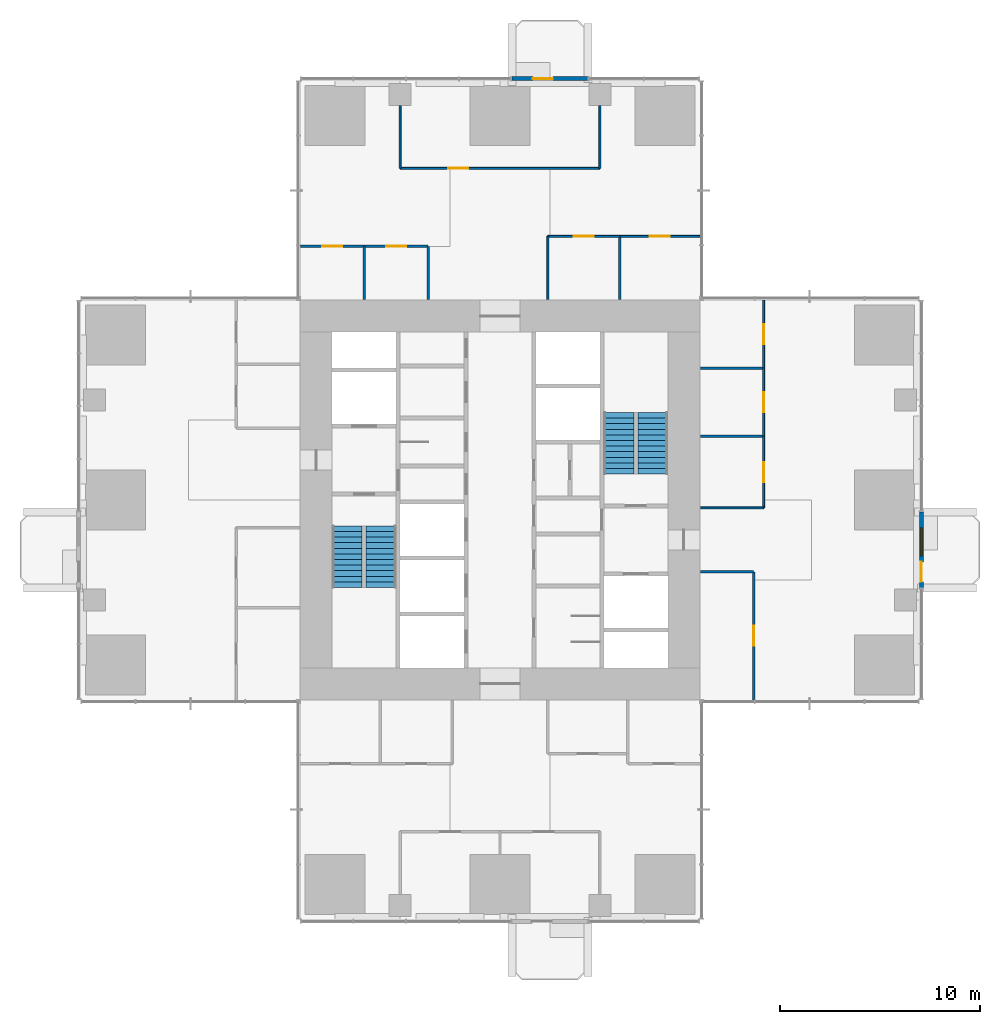
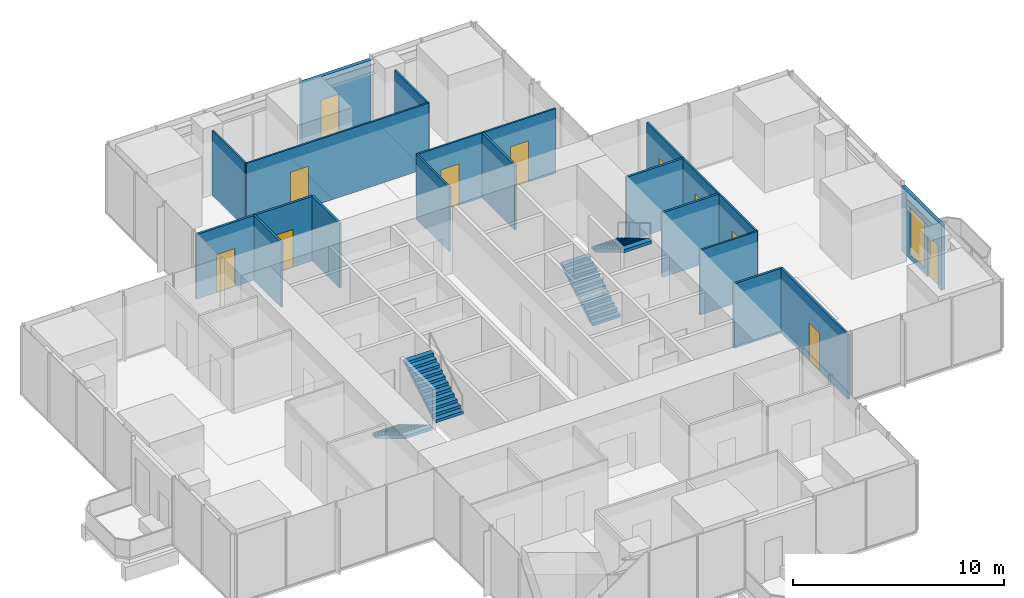
# One storey, part 10 of 13: 21 walls, 11 doors, 4 stair flights, 1 window, 12 openings, 2 elements without a shape of their own.
"""IFC4 building model written with IfcOpenShell, lengths in metres."""

from ifc_helpers import new_model, si_unit, direction, frame, frame_2d, origin, place, context, subcontext, project, spatial, polyline, rectangle, outline, extrude, material, layer, layer_set, type_object, element, fill, aggregate, save


model = new_model("IFC4")

# Units and contexts
model_context = context("Model", 3, precision=1e-05, world=origin(), true_north=direction((0.0, 1.0)))
body_context = subcontext(model_context, "Body", "Model", "MODEL_VIEW")
ifc_project = project(units=[si_unit("LENGTHUNIT", "METRE"), si_unit("AREAUNIT", "SQUARE_METRE"), si_unit("VOLUMEUNIT", "CUBIC_METRE"), si_unit("PLANEANGLEUNIT", "RADIAN"), si_unit("MASSUNIT", "GRAM", prefix="KILO")], contexts=[model_context])

# Site, building, storey
site_placement = place(None, origin())
site = spatial("IfcSite", under=ifc_project, at=site_placement, CompositionType="ELEMENT")
building_placement = place(site_placement, origin())
building = spatial("IfcBuilding", under=site, at=building_placement, Name="Svetlomir Tower", CompositionType="ELEMENT")
storey_placement = place(building_placement, frame((0.0, 0.0, 128.5)))
storey = spatial("IfcBuildingStorey", under=building, at=storey_placement, Name="L30", CompositionType="ELEMENT", Elevation=128.5)

# Wall, openings, door, window
ifc_material_1 = material(Name="Bronze anodised aluminium glazed screen", Category="aluminium")
ifc_layer_1 = layer(ifc_material_1, 0.199951171875)
ifc_layer_set_1 = layer_set([ifc_layer_1], Name="Bronze anodised aluminium glazed screen")
wall_type_1 = type_object("IfcWallType", Name="BALCONY SCREEN WALL 200", PredefinedType="USERDEFINED", material=ifc_layer_set_1)
wall_1_placement = place(storey_placement, frame((42.10009765625, 16.60009765625, 0.0), z_axis=(0.0, 0.0, 1.0), x_axis=(0.0, 1.0, 0.0)))
wall_1 = element("IfcWall", 1, at=wall_1_placement, inside=storey, type_object=wall_type_1, Name="Balcony screen E", ObjectType="GLAZED SCREEN", PredefinedType="USERDEFINED", context=body_context, shape_type="SweptSolid", body=[
    extrude(rectangle(XDim=3.7998046875, YDim=0.199951171875, at=frame_2d((1.89990234375, 0.0))), origin(), (0.0, 0.0, 1.0), 3.75),
])
opening_1_placement = place(wall_1_placement, frame((0.300048828125, 0.0, 0.0)))
opening_1 = element("IfcOpeningElement", 2, at=opening_1_placement, cuts=wall_1, Name="Opening BD", PredefinedType="OPENING", context=body_context, shape_type="SweptSolid", body=[
    extrude(rectangle(XDim=1.0, YDim=2.39990234375, at=frame_2d((0.5, 1.199951171875))), frame((0.0, 0.10986328125, 0.0), z_axis=(0.0, -1.0, 0.0), x_axis=(1.0, 0.0, 0.0)), (0.0, 0.0, 1.0), 0.219970703125),
])
opening_2_placement = place(wall_1_placement, frame((1.60009765625, 0.0, 0.300048828125)))
opening_2 = element("IfcOpeningElement", 3, at=opening_2_placement, cuts=wall_1, Name="Opening WS2", PredefinedType="OPENING", context=body_context, shape_type="SweptSolid", body=[
    extrude(rectangle(XDim=1.39990234375, YDim=2.699951171875, at=frame_2d((0.699951171875, 1.35009765625))), frame((0.0, 0.10986328125, 0.0), z_axis=(0.0, -1.0, 0.0), x_axis=(1.0, 0.0, 0.0)), (0.0, 0.0, 1.0), 0.219970703125),
])
ifc_material_2 = material(Name="Bronze anodised aluminium glazed door", Category="aluminium")
door_type_1 = type_object("IfcDoorType", Name="BALCONY DOOR BD 1000x2400", OperationType="SINGLE_SWING_LEFT", PredefinedType="DOOR", material=ifc_material_2)
door_1_placement = place(opening_1_placement, origin())
door_1 = element("IfcDoor", 4, at=door_1_placement, inside=storey, type_object=door_type_1, Name="Balcony screen E door", OperationType="SINGLE_SWING_LEFT", OverallHeight=2.39990234375, OverallWidth=1.0, PredefinedType="DOOR", context=body_context, shape_type="SweptSolid", body=[
    extrude(rectangle(XDim=1.0, YDim=2.39990234375, at=frame_2d((0.5, 1.199951171875))), frame((0.0, 0.02490234375, 0.0), z_axis=(0.0, -1.0, 0.0), x_axis=(1.0, 0.0, 0.0)), (0.0, 0.0, 1.0), 0.050048828125),
])
fill(opening_1, door_1)
ifc_material_3 = material(Name="Bronze anodised aluminium window", Category="aluminium")
window_type = type_object("IfcWindowType", Name="SCREEN WINDOW WS2 1400x2700", PartitioningType="SINGLE_PANEL", PredefinedType="WINDOW", material=ifc_material_3)
window_placement = place(opening_2_placement, origin())
window = element("IfcWindow", 5, at=window_placement, inside=storey, type_object=window_type, Name="Balcony screen E window 1", OverallHeight=2.699951171875, OverallWidth=1.39990234375, PartitioningType="SINGLE_PANEL", PredefinedType="WINDOW", context=body_context, shape_type="SweptSolid", body=[
    extrude(rectangle(XDim=1.39990234375, YDim=2.699951171875, at=frame_2d((0.699951171875, 1.35009765625))), frame((0.0, 0.030029296875, 0.0), z_axis=(0.0, -1.0, 0.0), x_axis=(1.0, 0.0, 0.0)), (0.0, 0.0, 1.0), 0.06005859375),
])
fill(opening_2, window)

# Wall, opening, door
wall_2_placement = place(storey_placement, frame((25.39990234375, 42.10009765625, 0.0), z_axis=(0.0, 0.0, 1.0), x_axis=(-1.0, 0.0, 0.0)))
wall_2 = element("IfcWall", 6, at=wall_2_placement, inside=storey, type_object=wall_type_1, Name="Balcony screen N", ObjectType="GLAZED SCREEN", PredefinedType="USERDEFINED", context=body_context, shape_type="SweptSolid", body=[
    extrude(rectangle(XDim=3.7998046875, YDim=0.199951171875, at=frame_2d((1.89990234375, 0.0))), origin(), (0.0, 0.0, 1.0), 3.75),
])
opening_3_placement = place(wall_2_placement, frame((1.75, 0.0, 0.0)))
opening_3 = element("IfcOpeningElement", 7, at=opening_3_placement, cuts=wall_2, Name="Opening BD", PredefinedType="OPENING", context=body_context, shape_type="SweptSolid", body=[
    extrude(rectangle(XDim=1.0, YDim=2.39990234375, at=frame_2d((0.5, 1.199951171875))), frame((0.0, 0.10986328125, 0.0), z_axis=(0.0, -1.0, 0.0), x_axis=(1.0, 0.0, 0.0)), (0.0, 0.0, 1.0), 0.219970703125),
])
door_2_placement = place(opening_3_placement, origin())
door_2 = element("IfcDoor", 8, at=door_2_placement, inside=storey, type_object=door_type_1, Name="Balcony screen N door", OperationType="SINGLE_SWING_LEFT", OverallHeight=2.39990234375, OverallWidth=1.0, PredefinedType="DOOR", context=body_context, shape_type="SweptSolid", body=[
    extrude(rectangle(XDim=1.0, YDim=2.39990234375, at=frame_2d((0.5, 1.199951171875))), frame((0.0, 0.02490234375, 0.0), z_axis=(0.0, -1.0, 0.0), x_axis=(1.0, 0.0, 0.0)), (0.0, 0.0, 1.0), 0.050048828125),
])
fill(opening_3, door_2)

# Wall
ifc_material_4 = material(Name="Framed laminated glass partition", Category="glass")
ifc_layer_2 = layer(ifc_material_4, 0.10009765625)
ifc_layer_set_2 = layer_set([ifc_layer_2], Name="Framed laminated glass partition")
wall_type_2 = type_object("IfcWallType", Name="GLAZED PARTITION 100", PredefinedType="PARTITIONING", material=ifc_layer_set_2)
wall_3_placement = place(storey_placement, frame((16.0, 37.60009765625, 0.0), z_axis=(0.0, 0.0, 1.0), x_axis=(0.0, 1.0, 0.0)))
element("IfcWall", 9, at=wall_3_placement, inside=storey, type_object=wall_type_2, Name="Glazed partition L30", PredefinedType="PARTITIONING", context=body_context, shape_type="SweptSolid", body=[
    extrude(rectangle(XDim=3.139892578125, YDim=0.10009765625, at=frame_2d((1.56982421875, 0.0))), origin(), (0.0, 0.0, 1.0), 3.75),
])

# Wall, opening, door
wall_4_placement = place(storey_placement, frame((16.0, 37.60009765625, 0.0), z_axis=(0.0, 0.0, 1.0), x_axis=(1.0, 0.0, 0.0)))
wall_4 = element("IfcWall", 10, at=wall_4_placement, inside=storey, type_object=wall_type_2, Name="Glazed partition L30", PredefinedType="PARTITIONING", context=body_context, shape_type="SweptSolid", body=[
    extrude(rectangle(XDim=10.0, YDim=0.10009765625, at=frame_2d((5.0, 0.0))), origin(), (0.0, 0.0, 1.0), 3.75),
])
opening_4_placement = place(wall_4_placement, frame((2.39990234375, 0.0, 0.0)))
opening_4 = element("IfcOpeningElement", 11, at=opening_4_placement, cuts=wall_4, Name="Opening DG", PredefinedType="OPENING", context=body_context, shape_type="SweptSolid", body=[
    extrude(rectangle(XDim=1.0, YDim=2.39990234375, at=frame_2d((0.5, 1.199951171875))), frame((0.0, 0.06005859375, 0.0), z_axis=(0.0, -1.0, 0.0), x_axis=(1.0, 0.0, 0.0)), (0.0, 0.0, 1.0), 0.1201171875),
])
ifc_material_5 = material(Name="Framed laminated glass door", Category="glass")
door_type_2 = type_object("IfcDoorType", Name="GLAZED DOOR DG 1000x2400", OperationType="SINGLE_SWING_LEFT", PredefinedType="DOOR", material=ifc_material_5)
door_3_placement = place(opening_4_placement, origin())
door_3 = element("IfcDoor", 12, at=door_3_placement, inside=storey, type_object=door_type_2, Name="Engineering review room, 12 seats door L30", OperationType="SINGLE_SWING_RIGHT", OverallHeight=2.39990234375, OverallWidth=1.0, PredefinedType="DOOR", context=body_context, shape_type="SweptSolid", body=[
    extrude(rectangle(XDim=1.0, YDim=2.39990234375, at=frame_2d((0.5, 1.199951171875))), frame((0.0, 0.02490234375, 0.0), z_axis=(0.0, -1.0, 0.0), x_axis=(1.0, 0.0, 0.0)), (0.0, 0.0, 1.0), 0.050048828125),
])
fill(opening_4, door_3)

# Wall
wall_5_placement = place(storey_placement, frame((23.39990234375, 31.050048828125, 0.0), z_axis=(0.0, 0.0, 1.0), x_axis=(0.0, 1.0, 0.0)))
element("IfcWall", 13, at=wall_5_placement, inside=storey, type_object=wall_type_2, Name="Glazed partition L30", PredefinedType="PARTITIONING", context=body_context, shape_type="SweptSolid", body=[
    extrude(rectangle(XDim=3.14990234375, YDim=0.10009765625, at=frame_2d((1.574951171875, 0.0))), origin(), (0.0, 0.0, 1.0), 3.75),
])

# Wall, opening, door
wall_6_placement = place(storey_placement, frame((23.39990234375, 34.199951171875, 0.0), z_axis=(0.0, 0.0, 1.0), x_axis=(1.0, 0.0, 0.0)))
wall_6 = element("IfcWall", 14, at=wall_6_placement, inside=storey, type_object=wall_type_2, Name="Glazed partition L30", PredefinedType="PARTITIONING", context=body_context, shape_type="SweptSolid", body=[
    extrude(rectangle(XDim=3.60009765625, YDim=0.10009765625, at=frame_2d((1.800048828125, 0.0))), origin(), (0.0, 0.0, 1.0), 3.75),
])
opening_5_placement = place(wall_6_placement, frame((1.300048828125, 0.0, 0.0)))
opening_5 = element("IfcOpeningElement", 15, at=opening_5_placement, cuts=wall_6, Name="Opening DG", PredefinedType="OPENING", context=body_context, shape_type="SweptSolid", body=[
    extrude(rectangle(XDim=1.0, YDim=2.39990234375, at=frame_2d((0.5, 1.199951171875))), frame((0.0, 0.06005859375, 0.0), z_axis=(0.0, -1.0, 0.0), x_axis=(1.0, 0.0, 0.0)), (0.0, 0.0, 1.0), 0.1201171875),
])
door_4_placement = place(opening_5_placement, origin())
door_4 = element("IfcDoor", 16, at=door_4_placement, inside=storey, type_object=door_type_2, Name="Focus room 3 door L30", OperationType="SINGLE_SWING_RIGHT", OverallHeight=2.39990234375, OverallWidth=1.0, PredefinedType="DOOR", context=body_context, shape_type="SweptSolid", body=[
    extrude(rectangle(XDim=1.0, YDim=2.39990234375, at=frame_2d((0.5, 1.199951171875))), frame((0.0, 0.02490234375, 0.0), z_axis=(0.0, -1.0, 0.0), x_axis=(1.0, 0.0, 0.0)), (0.0, 0.0, 1.0), 0.050048828125),
])
fill(opening_5, door_4)

# Wall
wall_7_placement = place(storey_placement, frame((26.0, 37.60009765625, 0.0), z_axis=(0.0, 0.0, 1.0), x_axis=(0.0, 1.0, 0.0)))
element("IfcWall", 17, at=wall_7_placement, inside=storey, type_object=wall_type_2, Name="Glazed partition L30", PredefinedType="PARTITIONING", context=body_context, shape_type="SweptSolid", body=[
    extrude(rectangle(XDim=3.139892578125, YDim=0.10009765625, at=frame_2d((1.56982421875, 0.0))), origin(), (0.0, 0.0, 1.0), 3.75),
])

# Wall, opening, door
wall_8_placement = place(storey_placement, frame((27.0, 34.199951171875, 0.0), z_axis=(0.0, 0.0, 1.0), x_axis=(1.0, 0.0, 0.0)))
wall_8 = element("IfcWall", 18, at=wall_8_placement, inside=storey, type_object=wall_type_2, Name="Glazed partition L30", PredefinedType="PARTITIONING", context=body_context, shape_type="SweptSolid", body=[
    extrude(rectangle(XDim=4.0, YDim=0.10009765625, at=frame_2d((2.0, 0.0))), origin(), (0.0, 0.0, 1.0), 3.75),
])
opening_6_placement = place(wall_8_placement, frame((1.5, 0.0, 0.0)))
opening_6 = element("IfcOpeningElement", 19, at=opening_6_placement, cuts=wall_8, Name="Opening DG", PredefinedType="OPENING", context=body_context, shape_type="SweptSolid", body=[
    extrude(rectangle(XDim=1.0, YDim=2.39990234375, at=frame_2d((0.5, 1.199951171875))), frame((0.0, 0.06005859375, 0.0), z_axis=(0.0, -1.0, 0.0), x_axis=(1.0, 0.0, 0.0)), (0.0, 0.0, 1.0), 0.1201171875),
])
door_5_placement = place(opening_6_placement, origin())
door_5 = element("IfcDoor", 20, at=door_5_placement, inside=storey, type_object=door_type_2, Name="Meeting room, 10 seats door L30", OperationType="SINGLE_SWING_LEFT", OverallHeight=2.39990234375, OverallWidth=1.0, PredefinedType="DOOR", context=body_context, shape_type="SweptSolid", body=[
    extrude(rectangle(XDim=1.0, YDim=2.39990234375, at=frame_2d((0.5, 1.199951171875))), frame((0.0, 0.02490234375, 0.0), z_axis=(0.0, -1.0, 0.0), x_axis=(1.0, 0.0, 0.0)), (0.0, 0.0, 1.0), 0.050048828125),
])
fill(opening_6, door_5)

# Wall
wall_9_placement = place(storey_placement, frame((31.050048828125, 20.60009765625, 0.0), z_axis=(0.0, 0.0, 1.0), x_axis=(1.0, 0.0, 0.0)))
element("IfcWall", 21, at=wall_9_placement, inside=storey, type_object=wall_type_2, Name="Glazed partition L30", PredefinedType="PARTITIONING", context=body_context, shape_type="SweptSolid", body=[
    extrude(rectangle(XDim=3.14990234375, YDim=0.10009765625, at=frame_2d((1.574951171875, 0.0))), origin(), (0.0, 0.0, 1.0), 3.75),
])

# Wall, opening, door
wall_10_placement = place(storey_placement, frame((34.199951171875, 20.60009765625, 0.0), z_axis=(0.0, 0.0, 1.0), x_axis=(0.0, 1.0, 0.0)))
wall_10 = element("IfcWall", 22, at=wall_10_placement, inside=storey, type_object=wall_type_2, Name="Glazed partition L30", PredefinedType="PARTITIONING", context=body_context, shape_type="SweptSolid", body=[
    extrude(rectangle(XDim=3.599853515625, YDim=0.10009765625, at=frame_2d((1.7998046875, 0.0))), origin(), (0.0, 0.0, 1.0), 3.75),
])
opening_7_placement = place(wall_10_placement, frame((1.300048828125, 0.0, 0.0)))
opening_7 = element("IfcOpeningElement", 23, at=opening_7_placement, cuts=wall_10, Name="Opening DG", PredefinedType="OPENING", context=body_context, shape_type="SweptSolid", body=[
    extrude(rectangle(XDim=1.0, YDim=2.39990234375, at=frame_2d((0.5, 1.199951171875))), frame((0.0, 0.06005859375, 0.0), z_axis=(0.0, -1.0, 0.0), x_axis=(1.0, 0.0, 0.0)), (0.0, 0.0, 1.0), 0.1201171875),
])
door_6_placement = place(opening_7_placement, origin())
door_6 = element("IfcDoor", 24, at=door_6_placement, inside=storey, type_object=door_type_2, Name="Meeting room, 6 seats door L30", OperationType="SINGLE_SWING_LEFT", OverallHeight=2.39990234375, OverallWidth=1.0, PredefinedType="DOOR", context=body_context, shape_type="SweptSolid", body=[
    extrude(rectangle(XDim=1.0, YDim=2.39990234375, at=frame_2d((0.5, 1.199951171875))), frame((0.0, 0.02490234375, 0.0), z_axis=(0.0, -1.0, 0.0), x_axis=(1.0, 0.0, 0.0)), (0.0, 0.0, 1.0), 0.050048828125),
])
fill(opening_7, door_6)

wall_11_placement = place(storey_placement, frame((34.199951171875, 24.199951171875, 0.0), z_axis=(0.0, 0.0, 1.0), x_axis=(0.0, 1.0, 0.0)))
wall_11 = element("IfcWall", 25, at=wall_11_placement, inside=storey, type_object=wall_type_2, Name="Glazed partition L30", PredefinedType="PARTITIONING", context=body_context, shape_type="SweptSolid", body=[
    extrude(rectangle(XDim=3.400146484375, YDim=0.10009765625, at=frame_2d((1.7001953125, 0.0))), origin(), (0.0, 0.0, 1.0), 3.75),
])
opening_8_placement = place(wall_11_placement, frame((1.199951171875, 0.0, 0.0)))
opening_8 = element("IfcOpeningElement", 26, at=opening_8_placement, cuts=wall_11, Name="Opening DG", PredefinedType="OPENING", context=body_context, shape_type="SweptSolid", body=[
    extrude(rectangle(XDim=1.0, YDim=2.39990234375, at=frame_2d((0.5, 1.199951171875))), frame((0.0, 0.06005859375, 0.0), z_axis=(0.0, -1.0, 0.0), x_axis=(1.0, 0.0, 0.0)), (0.0, 0.0, 1.0), 0.1201171875),
])
door_7_placement = place(opening_8_placement, origin())
door_7 = element("IfcDoor", 27, at=door_7_placement, inside=storey, type_object=door_type_2, Name="Focus room 1 door L30", OperationType="SINGLE_SWING_RIGHT", OverallHeight=2.39990234375, OverallWidth=1.0, PredefinedType="DOOR", context=body_context, shape_type="SweptSolid", body=[
    extrude(rectangle(XDim=1.0, YDim=2.39990234375, at=frame_2d((0.5, 1.199951171875))), frame((0.0, 0.02490234375, 0.0), z_axis=(0.0, -1.0, 0.0), x_axis=(1.0, 0.0, 0.0)), (0.0, 0.0, 1.0), 0.050048828125),
])
fill(opening_8, door_7)

wall_12_placement = place(storey_placement, frame((34.199951171875, 27.60009765625, 0.0), z_axis=(0.0, 0.0, 1.0), x_axis=(0.0, 1.0, 0.0)))
wall_12 = element("IfcWall", 28, at=wall_12_placement, inside=storey, type_object=wall_type_2, Name="Glazed partition L30", PredefinedType="PARTITIONING", context=body_context, shape_type="SweptSolid", body=[
    extrude(rectangle(XDim=3.39990234375, YDim=0.10009765625, at=frame_2d((1.699951171875, 0.0))), origin(), (0.0, 0.0, 1.0), 3.75),
])
opening_9_placement = place(wall_12_placement, frame((1.199951171875, 0.0, 0.0)))
opening_9 = element("IfcOpeningElement", 29, at=opening_9_placement, cuts=wall_12, Name="Opening DG", PredefinedType="OPENING", context=body_context, shape_type="SweptSolid", body=[
    extrude(rectangle(XDim=1.0, YDim=2.39990234375, at=frame_2d((0.5, 1.199951171875))), frame((0.0, 0.06005859375, 0.0), z_axis=(0.0, -1.0, 0.0), x_axis=(1.0, 0.0, 0.0)), (0.0, 0.0, 1.0), 0.1201171875),
])
door_8_placement = place(opening_9_placement, origin())
door_8 = element("IfcDoor", 30, at=door_8_placement, inside=storey, type_object=door_type_2, Name="Focus room 2 door L30", OperationType="SINGLE_SWING_LEFT", OverallHeight=2.39990234375, OverallWidth=1.0, PredefinedType="DOOR", context=body_context, shape_type="SweptSolid", body=[
    extrude(rectangle(XDim=1.0, YDim=2.39990234375, at=frame_2d((0.5, 1.199951171875))), frame((0.0, 0.02490234375, 0.0), z_axis=(0.0, -1.0, 0.0), x_axis=(1.0, 0.0, 0.0)), (0.0, 0.0, 1.0), 0.050048828125),
])
fill(opening_9, door_8)

ifc_material_6 = material(Name="Gypsum board on steel studs", Category="steel")
ifc_layer_3 = layer(ifc_material_6, 0.1201171875)
ifc_layer_set_3 = layer_set([ifc_layer_3], Name="Gypsum board on steel studs")
wall_type_3 = type_object("IfcWallType", Name="PARTITION 120", PredefinedType="PARTITIONING", material=ifc_layer_set_3)
wall_13_placement = place(storey_placement, frame((11.0, 33.699951171875, 0.0), z_axis=(0.0, 0.0, 1.0), x_axis=(1.0, 0.0, 0.0)))
wall_13 = element("IfcWall", 31, at=wall_13_placement, inside=storey, type_object=wall_type_3, Name="Partition L30", PredefinedType="PARTITIONING", context=body_context, shape_type="SweptSolid", body=[
    extrude(rectangle(XDim=3.199951171875, YDim=0.1201171875, at=frame_2d((1.60009765625, 0.0))), origin(), (0.0, 0.0, 1.0), 3.75),
])
opening_10_placement = place(wall_13_placement, frame((1.10009765625, 0.0, 0.0)))
opening_10 = element("IfcOpeningElement", 32, at=opening_10_placement, cuts=wall_13, Name="Opening DR", PredefinedType="OPENING", context=body_context, shape_type="SweptSolid", body=[
    extrude(rectangle(XDim=1.0, YDim=2.199951171875, at=frame_2d((0.5, 1.10009765625))), frame((0.0, 0.070068359375, 0.0), z_axis=(0.0, -1.0, 0.0), x_axis=(1.0, 0.0, 0.0)), (0.0, 0.0, 1.0), 0.14013671875),
])
ifc_material_7 = material(Name="Timber door, glazed side light", Category="wood")
door_type_3 = type_object("IfcDoorType", Name="DOOR DR 1000x2200", OperationType="SINGLE_SWING_LEFT", PredefinedType="DOOR", material=ifc_material_7)
door_9_placement = place(opening_10_placement, origin())
door_9 = element("IfcDoor", 33, at=door_9_placement, inside=storey, type_object=door_type_3, Name="Print and copy room door L30", OperationType="SINGLE_SWING_RIGHT", OverallHeight=2.199951171875, OverallWidth=1.0, PredefinedType="DOOR", context=body_context, shape_type="SweptSolid", body=[
    extrude(rectangle(XDim=1.0, YDim=2.199951171875, at=frame_2d((0.5, 1.10009765625))), frame((0.0, 0.02490234375, 0.0), z_axis=(0.0, -1.0, 0.0), x_axis=(1.0, 0.0, 0.0)), (0.0, 0.0, 1.0), 0.050048828125),
])
fill(opening_10, door_9)

# Wall
wall_14_placement = place(storey_placement, frame((14.199951171875, 31.050048828125, 0.0), z_axis=(0.0, 0.0, 1.0), x_axis=(0.0, 1.0, 0.0)))
element("IfcWall", 34, at=wall_14_placement, inside=storey, type_object=wall_type_3, Name="Partition L30", PredefinedType="PARTITIONING", context=body_context, shape_type="SweptSolid", body=[
    extrude(rectangle(XDim=2.64990234375, YDim=0.1201171875, at=frame_2d((1.324951171875, 0.0))), origin(), (0.0, 0.0, 1.0), 3.75),
])

# Wall, opening, door
wall_15_placement = place(storey_placement, frame((14.199951171875, 33.699951171875, 0.0), z_axis=(0.0, 0.0, 1.0), x_axis=(1.0, 0.0, 0.0)))
wall_15 = element("IfcWall", 35, at=wall_15_placement, inside=storey, type_object=wall_type_3, Name="Partition L30", PredefinedType="PARTITIONING", context=body_context, shape_type="SweptSolid", body=[
    extrude(rectangle(XDim=3.199951171875, YDim=0.1201171875, at=frame_2d((1.60009765625, 0.0))), origin(), (0.0, 0.0, 1.0), 3.75),
])
opening_11_placement = place(wall_15_placement, frame((1.10009765625, 0.0, 0.0)))
opening_11 = element("IfcOpeningElement", 36, at=opening_11_placement, cuts=wall_15, Name="Opening DR", PredefinedType="OPENING", context=body_context, shape_type="SweptSolid", body=[
    extrude(rectangle(XDim=1.0, YDim=2.199951171875, at=frame_2d((0.5, 1.10009765625))), frame((0.0, 0.070068359375, 0.0), z_axis=(0.0, -1.0, 0.0), x_axis=(1.0, 0.0, 0.0)), (0.0, 0.0, 1.0), 0.14013671875),
])
door_10_placement = place(opening_11_placement, origin())
door_10 = element("IfcDoor", 37, at=door_10_placement, inside=storey, type_object=door_type_3, Name="Store 2 door L30", OperationType="SINGLE_SWING_LEFT", OverallHeight=2.199951171875, OverallWidth=1.0, PredefinedType="DOOR", context=body_context, shape_type="SweptSolid", body=[
    extrude(rectangle(XDim=1.0, YDim=2.199951171875, at=frame_2d((0.5, 1.10009765625))), frame((0.0, 0.02490234375, 0.0), z_axis=(0.0, -1.0, 0.0), x_axis=(1.0, 0.0, 0.0)), (0.0, 0.0, 1.0), 0.050048828125),
])
fill(opening_11, door_10)

# Walls
wall_16_placement = place(storey_placement, frame((17.39990234375, 31.050048828125, 0.0), z_axis=(0.0, 0.0, 1.0), x_axis=(0.0, 1.0, 0.0)))
element("IfcWall", 38, at=wall_16_placement, inside=storey, type_object=wall_type_3, Name="Partition L30", PredefinedType="PARTITIONING", context=body_context, shape_type="SweptSolid", body=[
    extrude(rectangle(XDim=2.64990234375, YDim=0.1201171875, at=frame_2d((1.324951171875, 0.0))), origin(), (0.0, 0.0, 1.0), 3.75),
])
wall_17_placement = place(storey_placement, frame((27.0, 31.050048828125, 0.0), z_axis=(0.0, 0.0, 1.0), x_axis=(0.0, 1.0, 0.0)))
element("IfcWall", 39, at=wall_17_placement, inside=storey, type_object=wall_type_3, Name="Partition L30", PredefinedType="PARTITIONING", context=body_context, shape_type="SweptSolid", body=[
    extrude(rectangle(XDim=3.14990234375, YDim=0.1201171875, at=frame_2d((1.574951171875, 0.0))), origin(), (0.0, 0.0, 1.0), 3.75),
])
wall_18_placement = place(storey_placement, frame((31.050048828125, 17.39990234375, 0.0), z_axis=(0.0, 0.0, 1.0), x_axis=(1.0, 0.0, 0.0)))
element("IfcWall", 40, at=wall_18_placement, inside=storey, type_object=wall_type_3, Name="Partition L30", PredefinedType="PARTITIONING", context=body_context, shape_type="SweptSolid", body=[
    extrude(rectangle(XDim=2.64990234375, YDim=0.1201171875, at=frame_2d((1.324951171875, 0.0))), origin(), (0.0, 0.0, 1.0), 3.75),
])
for number, where, z_axis, x_axis, name in (
    (41, (31.050048828125, 24.199951171875, 0.0), (0.0, 0.0, 1.0), (1.0, 0.0, 0.0), "Partition L30"),
    (42, (31.050048828125, 27.60009765625, 0.0), (0.0, 0.0, 1.0), (1.0, 0.0, 0.0), "Partition L30"),
):
    element("IfcWall", number, at=place(storey_placement, frame(where, z_axis=z_axis, x_axis=x_axis)), inside=storey, type_object=wall_type_3, Name=name, PredefinedType="PARTITIONING", context=body_context, shape_type="SweptSolid", body=[
        extrude(rectangle(XDim=3.14990234375, YDim=0.1201171875, at=frame_2d((1.574951171875, 0.0))), origin(), (0.0, 0.0, 1.0), 3.75),
    ])

# Wall, opening, door
wall_19_placement = place(storey_placement, frame((33.699951171875, 11.0, 0.0), z_axis=(0.0, 0.0, 1.0), x_axis=(0.0, 1.0, 0.0)))
wall_19 = element("IfcWall", 43, at=wall_19_placement, inside=storey, type_object=wall_type_3, Name="Partition L30", PredefinedType="PARTITIONING", context=body_context, shape_type="SweptSolid", body=[
    extrude(rectangle(XDim=6.39990234375, YDim=0.1201171875, at=frame_2d((3.199951171875, 0.0))), origin(), (0.0, 0.0, 1.0), 3.75),
])
opening_12_placement = place(wall_19_placement, frame((2.699951171875, 0.0, 0.0)))
opening_12 = element("IfcOpeningElement", 44, at=opening_12_placement, cuts=wall_19, Name="Opening DR", PredefinedType="OPENING", context=body_context, shape_type="SweptSolid", body=[
    extrude(rectangle(XDim=1.0, YDim=2.199951171875, at=frame_2d((0.5, 1.10009765625))), frame((0.0, 0.070068359375, 0.0), z_axis=(0.0, -1.0, 0.0), x_axis=(1.0, 0.0, 0.0)), (0.0, 0.0, 1.0), 0.14013671875),
])
door_11_placement = place(opening_12_placement, origin())
door_11 = element("IfcDoor", 45, at=door_11_placement, inside=storey, type_object=door_type_3, Name="Asset monitoring room door L30", OperationType="SINGLE_SWING_RIGHT", OverallHeight=2.199951171875, OverallWidth=1.0, PredefinedType="DOOR", context=body_context, shape_type="SweptSolid", body=[
    extrude(rectangle(XDim=1.0, YDim=2.199951171875, at=frame_2d((0.5, 1.10009765625))), frame((0.0, 0.02490234375, 0.0), z_axis=(0.0, -1.0, 0.0), x_axis=(1.0, 0.0, 0.0)), (0.0, 0.0, 1.0), 0.050048828125),
])
fill(opening_12, door_11)

# Stair, stair flights
ifc_material_8 = material(Name="Concrete C60/75", Category="concrete")
stair_type = type_object("IfcStairType", Name="EXIT STAIR 3200 RISE 4000", PredefinedType="HALF_TURN_STAIR", material=ifc_material_8)
stair_1_placement = place(storey_placement, origin())
stair_1 = element("IfcStair", 46, at=stair_1_placement, inside=storey, type_object=stair_type, Name="Stair S1 L30 to L31", PredefinedType="HALF_TURN_STAIR")
ifc_material_9 = material(Name="Concrete C60/75", Category="concrete")
stair_flight_type = type_object("IfcStairFlightType", Name="STAIR FLIGHT 1500 OF 12 RISERS", PredefinedType="STRAIGHT", material=ifc_material_9)
stair_flight_1_placement = place(storey_placement, frame((13.35009765625, 19.699951171875, 0.0), z_axis=(0.0, 0.0, 1.0), x_axis=(0.0, -1.0, 0.0)))
stair_flight_1 = element("IfcStairFlight", 47, at=stair_flight_1_placement, type_object=stair_flight_type, Name="S1 flight 1", NumberOfRisers=12, NumberOfTreads=11, PredefinedType="STRAIGHT", RiserHeight=0.166666667, TreadLength=0.28, context=body_context, shape_type="SweptSolid", body=[
    extrude(outline(polyline([(0.0, 0.0), (0.0, 0.166748046875), (0.280029296875, 0.166748046875), (0.280029296875, 0.333251953125), (0.56005859375, 0.333251953125), (0.56005859375, 0.5), (0.840087890625, 0.5), (0.840087890625, 0.666748046875), (1.1201171875, 0.666748046875), (1.1201171875, 0.833251953125), (1.39990234375, 0.833251953125), (1.39990234375, 1.0), (1.679931640625, 1.0), (1.679931640625, 1.166748046875), (1.9599609375, 1.166748046875), (1.9599609375, 1.333251953125), (2.239990234375, 1.333251953125), (2.239990234375, 1.5), (2.52001953125, 1.5), (2.52001953125, 1.666748046875), (2.800048828125, 1.666748046875), (2.800048828125, 1.833251953125), (3.080078125, 1.833251953125), (3.080078125, 2.0), (3.080078125, 1.658935546875), (0.29296875, 0.0), (0.0, 0.0)])), frame((0.0, 0.75, 0.0), z_axis=(0.0, -1.0, 0.0), x_axis=(1.0, 0.0, 0.0)), (0.0, 0.0, 1.0), 1.5),
])
stair_flight_2_placement = place(storey_placement, frame((15.050048828125, 16.6201171875, 2.0), z_axis=(0.0, 0.0, 1.0), x_axis=(0.0, 1.0, 0.0)))
stair_flight_2 = element("IfcStairFlight", 48, at=stair_flight_2_placement, type_object=stair_flight_type, Name="S1 flight 2", NumberOfRisers=12, NumberOfTreads=11, PredefinedType="STRAIGHT", RiserHeight=0.166666667, TreadLength=0.28, context=body_context, shape_type="SweptSolid", body=[
    extrude(outline(polyline([(0.0, 0.0), (0.0, 0.166748046875), (0.280029296875, 0.166748046875), (0.280029296875, 0.333251953125), (0.56005859375, 0.333251953125), (0.56005859375, 0.5), (0.840087890625, 0.5), (0.840087890625, 0.666748046875), (1.1201171875, 0.666748046875), (1.1201171875, 0.833251953125), (1.39990234375, 0.833251953125), (1.39990234375, 1.0), (1.679931640625, 1.0), (1.679931640625, 1.166748046875), (1.9599609375, 1.166748046875), (1.9599609375, 1.333251953125), (2.239990234375, 1.333251953125), (2.239990234375, 1.5), (2.52001953125, 1.5), (2.52001953125, 1.666748046875), (2.800048828125, 1.666748046875), (2.800048828125, 1.833251953125), (3.080078125, 1.833251953125), (3.080078125, 2.0), (3.080078125, 1.658935546875), (0.29296875, 0.0), (0.0, 0.0)])), frame((0.0, 0.75, 0.0), z_axis=(0.0, -1.0, 0.0), x_axis=(1.0, 0.0, 0.0)), (0.0, 0.0, 1.0), 1.5),
])
aggregate(stair_1, [stair_flight_1, stair_flight_2])

stair_2_placement = place(storey_placement, origin())
stair_2 = element("IfcStair", 49, at=stair_2_placement, inside=storey, type_object=stair_type, Name="Stair S2 L30 to L31", PredefinedType="HALF_TURN_STAIR")
stair_flight_3_placement = place(storey_placement, frame((26.949951171875, 22.300048828125, 0.0), z_axis=(0.0, 0.0, 1.0), x_axis=(0.0, 1.0, 0.0)))
stair_flight_3 = element("IfcStairFlight", 50, at=stair_flight_3_placement, type_object=stair_flight_type, Name="S2 flight 1", NumberOfRisers=12, NumberOfTreads=11, PredefinedType="STRAIGHT", RiserHeight=0.166666667, TreadLength=0.28, context=body_context, shape_type="SweptSolid", body=[
    extrude(outline(polyline([(0.0, 0.0), (0.0, 0.166748046875), (0.280029296875, 0.166748046875), (0.280029296875, 0.333251953125), (0.56005859375, 0.333251953125), (0.56005859375, 0.5), (0.840087890625, 0.5), (0.840087890625, 0.666748046875), (1.1201171875, 0.666748046875), (1.1201171875, 0.833251953125), (1.39990234375, 0.833251953125), (1.39990234375, 1.0), (1.679931640625, 1.0), (1.679931640625, 1.166748046875), (1.9599609375, 1.166748046875), (1.9599609375, 1.333251953125), (2.239990234375, 1.333251953125), (2.239990234375, 1.5), (2.52001953125, 1.5), (2.52001953125, 1.666748046875), (2.800048828125, 1.666748046875), (2.800048828125, 1.833251953125), (3.080078125, 1.833251953125), (3.080078125, 2.0), (3.080078125, 1.658935546875), (0.29296875, 0.0), (0.0, 0.0)])), frame((0.0, 0.75, 0.0), z_axis=(0.0, -1.0, 0.0), x_axis=(1.0, 0.0, 0.0)), (0.0, 0.0, 1.0), 1.5),
])
stair_flight_4_placement = place(storey_placement, frame((28.64990234375, 25.3798828125, 2.0), z_axis=(0.0, 0.0, 1.0), x_axis=(0.0, -1.0, 0.0)))
stair_flight_4 = element("IfcStairFlight", 51, at=stair_flight_4_placement, type_object=stair_flight_type, Name="S2 flight 2", NumberOfRisers=12, NumberOfTreads=11, PredefinedType="STRAIGHT", RiserHeight=0.166666667, TreadLength=0.28, context=body_context, shape_type="SweptSolid", body=[
    extrude(outline(polyline([(0.0, 0.0), (0.0, 0.166748046875), (0.280029296875, 0.166748046875), (0.280029296875, 0.333251953125), (0.56005859375, 0.333251953125), (0.56005859375, 0.5), (0.840087890625, 0.5), (0.840087890625, 0.666748046875), (1.1201171875, 0.666748046875), (1.1201171875, 0.833251953125), (1.39990234375, 0.833251953125), (1.39990234375, 1.0), (1.679931640625, 1.0), (1.679931640625, 1.166748046875), (1.9599609375, 1.166748046875), (1.9599609375, 1.333251953125), (2.239990234375, 1.333251953125), (2.239990234375, 1.5), (2.52001953125, 1.5), (2.52001953125, 1.666748046875), (2.800048828125, 1.666748046875), (2.800048828125, 1.833251953125), (3.080078125, 1.833251953125), (3.080078125, 2.0), (3.080078125, 1.658935546875), (0.29296875, 0.0), (0.0, 0.0)])), frame((0.0, 0.75, 0.0), z_axis=(0.0, -1.0, 0.0), x_axis=(1.0, 0.0, 0.0)), (0.0, 0.0, 1.0), 1.5),
])
aggregate(stair_2, [stair_flight_3, stair_flight_4])

save(model, "model.ifc")
